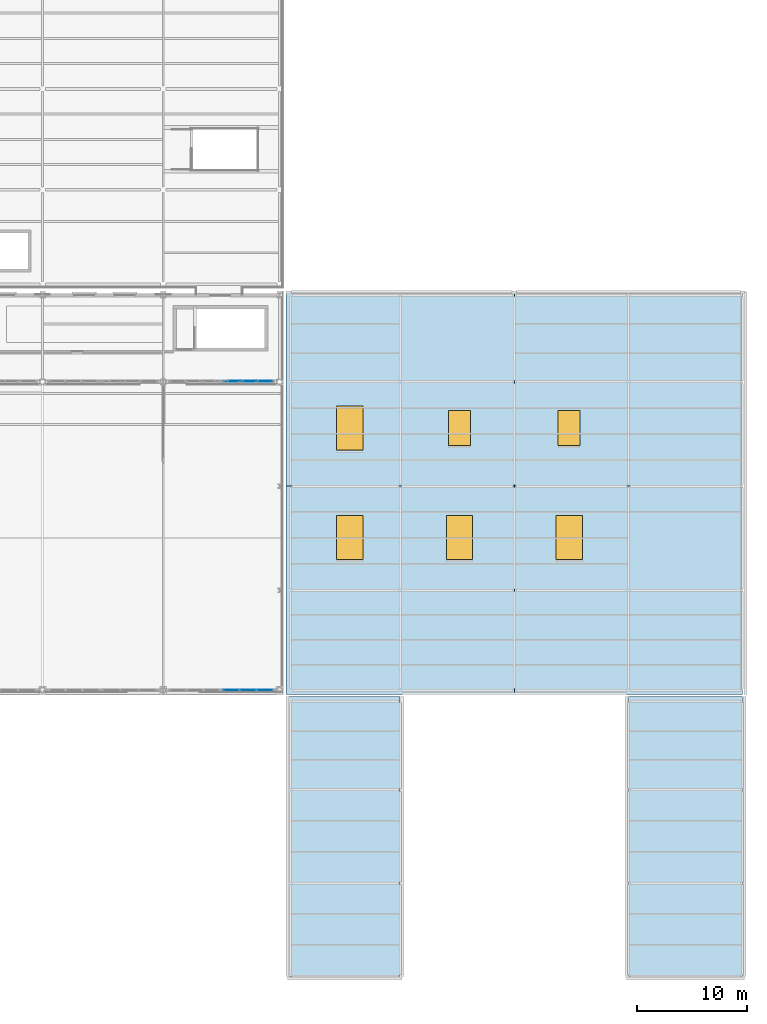
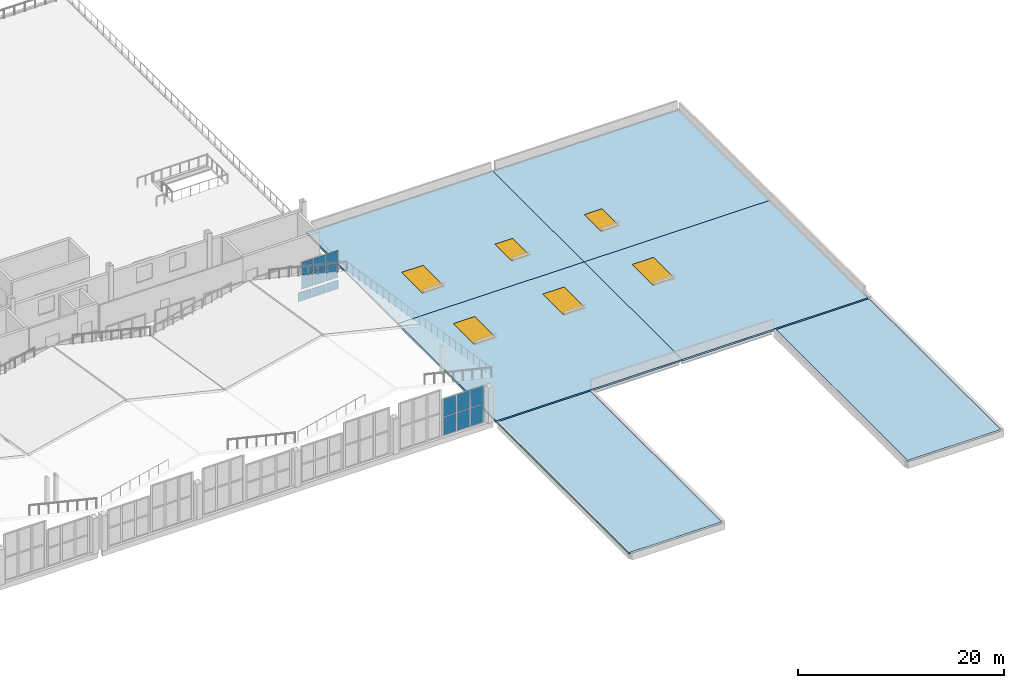
# One storey, part 88 of 120: 15 plates, 6 slabs, 6 windows, 6 openings, 3 elements without a shape of their own.
"""IFC4 building model written with IfcOpenShell, lengths in metres."""

from ifc_helpers import new_model, si_unit, direction, frame, origin, origin_2d, place, context, subcontext, project, spatial, polyline, rectangle, outline, extrude, material, layer, layer_set, type_object, element, fill, aggregate, save


model = new_model("IFC4")

# Units and contexts
model_context = context("Model", 3, precision=1e-05, world=origin(), true_north=direction((0.0, 1.0)))
body_context = subcontext(model_context, "Body", "Model", "MODEL_VIEW")
ifc_project = project(units=[si_unit("LENGTHUNIT", "METRE"), si_unit("AREAUNIT", "SQUARE_METRE"), si_unit("VOLUMEUNIT", "CUBIC_METRE"), si_unit("PLANEANGLEUNIT", "RADIAN"), si_unit("MASSUNIT", "GRAM", prefix="KILO")], contexts=[model_context])

# Site, building, storey
site_placement = place(None, origin())
site = spatial("IfcSite", under=ifc_project, at=site_placement, CompositionType="ELEMENT")
building_placement = place(site_placement, origin())
building = spatial("IfcBuilding", under=site, at=building_placement, Name="Caurita Quay Ferry Terminal", CompositionType="ELEMENT")
storey_placement = place(building_placement, frame((0.0, 0.0, 9.89990234375)))
storey = spatial("IfcBuildingStorey", under=building, at=storey_placement, Name="L02", CompositionType="ELEMENT", Elevation=9.89990234375)

# Curtain wall, plates
ifc_material_1 = material(Name="Laminated solar-control insulated glass", Category="glass")
curtain_wall_type_1 = type_object("IfcCurtainWallType", Name="CW-SYS-14", PredefinedType="NOTDEFINED", material=ifc_material_1)
curtain_wall_1_placement = place(storey_placement, origin())
curtain_wall_1 = element("IfcCurtainWall", 1, at=curtain_wall_1_placement, inside=storey, type_object=curtain_wall_type_1, Name="Mezzanine Hall Overlook Glazing 112", PredefinedType="NOTDEFINED")
ifc_layer_1 = layer(ifc_material_1, 0.02392578125, Name="Laminated low-e hurricane-rated glazing unit 24 mm")
ifc_layer_set_1 = layer_set([ifc_layer_1], Name="Laminated solar-control insulated glass")
plate_type_1 = type_object("IfcPlateType", Name="CW-PNL-24", PredefinedType="CURTAIN_PANEL", material=ifc_layer_set_1)
plate_1_placement = place(storey_placement, frame((127.764892578125, 62.800048828125, 0.05810546875), z_axis=(0.0, 0.0, 1.0), x_axis=(1.0, 0.0, 0.0)))
plate_1 = element("IfcPlate", 2, at=plate_1_placement, type_object=plate_type_1, Name="CW-MZL-112 Glazing Panel 1", PredefinedType="CURTAIN_PANEL", context=body_context, shape_type="SweptSolid", body=[
    extrude(rectangle(XDim=1.31396484375, YDim=0.02392578125, at=origin_2d()), origin(), (0.0, 0.0, 1.0), 1.56396484375),
])
plate_2_placement = place(storey_placement, frame((127.764892578125, 62.800048828125, 1.67822265625), z_axis=(0.0, 0.0, 1.0), x_axis=(1.0, 0.0, 0.0)))
plate_2 = element("IfcPlate", 3, at=plate_2_placement, type_object=plate_type_1, Name="CW-MZL-112 Glazing Panel 2", PredefinedType="CURTAIN_PANEL", context=body_context, shape_type="SweptSolid", body=[
    extrude(rectangle(XDim=1.31396484375, YDim=0.02392578125, at=origin_2d()), origin(), (0.0, 0.0, 1.0), 1.56396484375),
])
plate_3_placement = place(storey_placement, frame((129.14990234375, 62.800048828125, 0.05810546875), z_axis=(0.0, 0.0, 1.0), x_axis=(1.0, 0.0, 0.0)))
plate_3 = element("IfcPlate", 4, at=plate_3_placement, type_object=plate_type_1, Name="CW-MZL-112 Glazing Panel 3", PredefinedType="CURTAIN_PANEL", context=body_context, shape_type="SweptSolid", body=[
    extrude(rectangle(XDim=1.343994140625, YDim=0.02392578125, at=origin_2d()), origin(), (0.0, 0.0, 1.0), 1.56396484375),
])
plate_4_placement = place(storey_placement, frame((129.14990234375, 62.800048828125, 1.67822265625), z_axis=(0.0, 0.0, 1.0), x_axis=(1.0, 0.0, 0.0)))
plate_4 = element("IfcPlate", 5, at=plate_4_placement, type_object=plate_type_1, Name="CW-MZL-112 Glazing Panel 4", PredefinedType="CURTAIN_PANEL", context=body_context, shape_type="SweptSolid", body=[
    extrude(rectangle(XDim=1.343994140625, YDim=0.02392578125, at=origin_2d()), origin(), (0.0, 0.0, 1.0), 1.56396484375),
])
plate_5_placement = place(storey_placement, frame((130.534912109375, 62.800048828125, 0.05810546875), z_axis=(0.0, 0.0, 1.0), x_axis=(1.0, 0.0, 0.0)))
plate_5 = element("IfcPlate", 6, at=plate_5_placement, type_object=plate_type_1, Name="CW-MZL-112 Glazing Panel 5", PredefinedType="CURTAIN_PANEL", context=body_context, shape_type="SweptSolid", body=[
    extrude(rectangle(XDim=1.31396484375, YDim=0.02392578125, at=origin_2d()), origin(), (0.0, 0.0, 1.0), 1.56396484375),
])
plate_6_placement = place(storey_placement, frame((130.534912109375, 62.800048828125, 1.67822265625), z_axis=(0.0, 0.0, 1.0), x_axis=(1.0, 0.0, 0.0)))
plate_6 = element("IfcPlate", 7, at=plate_6_placement, type_object=plate_type_1, Name="CW-MZL-112 Glazing Panel 6", PredefinedType="CURTAIN_PANEL", context=body_context, shape_type="SweptSolid", body=[
    extrude(rectangle(XDim=1.31396484375, YDim=0.02392578125, at=origin_2d()), origin(), (0.0, 0.0, 1.0), 1.56396484375),
])
aggregate(curtain_wall_1, [plate_1, plate_2, plate_3, plate_4, plate_5, plate_6])

curtain_wall_type_2 = type_object("IfcCurtainWallType", Name="CW-SYS-07", PredefinedType="NOTDEFINED", material=ifc_material_1)
curtain_wall_2_placement = place(storey_placement, origin())
curtain_wall_2 = element("IfcCurtainWall", 8, at=curtain_wall_2_placement, inside=storey, type_object=curtain_wall_type_2, Name="Folded Roof Clerestory FB-06-S4", PredefinedType="NOTDEFINED")
ifc_layer_2 = layer(ifc_material_1, 0.028076171875, Name="Laminated low-e hurricane-rated glazing unit 28 mm")
ifc_layer_set_2 = layer_set([ifc_layer_2], Name="Laminated solar-control insulated glass")
plate_type_2 = type_object("IfcPlateType", Name="CW-PNL-28", PredefinedType="CURTAIN_PANEL", material=ifc_layer_set_2)
plate_7_placement = place(storey_placement, frame((127.393798828125, 34.60009765625, 0.0732421875), z_axis=(0.0, 0.0, 1.0), x_axis=(1.0, 0.0, 0.0)))
plate_7 = element("IfcPlate", 9, at=plate_7_placement, type_object=plate_type_2, Name="CW-CLR-044 Glazing Panel 1", PredefinedType="CURTAIN_PANEL", context=body_context, shape_type="SweptSolid", body=[
    extrude(rectangle(XDim=1.44140625, YDim=0.028076171875, at=origin_2d()), origin(), (0.0, 0.0, 1.0), 2.095947265625),
])
plate_8_placement = place(storey_placement, frame((127.393798828125, 34.60009765625, 2.240234375), z_axis=(0.0, 0.0, 1.0), x_axis=(1.0, 0.0, 0.0)))
plate_8 = element("IfcPlate", 10, at=plate_8_placement, type_object=plate_type_2, Name="CW-CLR-044 Glazing Panel 2", PredefinedType="CURTAIN_PANEL", context=body_context, shape_type="SweptSolid", body=[
    extrude(rectangle(XDim=1.44140625, YDim=0.028076171875, at=origin_2d()), origin(), (0.0, 0.0, 1.0), 2.095947265625),
])
plate_9_placement = place(storey_placement, frame((128.925048828125, 34.60009765625, 0.0732421875), z_axis=(0.0, 0.0, 1.0), x_axis=(1.0, 0.0, 0.0)))
plate_9 = element("IfcPlate", 11, at=plate_9_placement, type_object=plate_type_2, Name="CW-CLR-044 Glazing Panel 3", PredefinedType="CURTAIN_PANEL", context=body_context, shape_type="SweptSolid", body=[
    extrude(rectangle(XDim=1.47900390625, YDim=0.028076171875, at=origin_2d()), origin(), (0.0, 0.0, 1.0), 2.095947265625),
])
plate_10_placement = place(storey_placement, frame((128.925048828125, 34.60009765625, 2.240234375), z_axis=(0.0, 0.0, 1.0), x_axis=(1.0, 0.0, 0.0)))
plate_10 = element("IfcPlate", 12, at=plate_10_placement, type_object=plate_type_2, Name="CW-CLR-044 Glazing Panel 4", PredefinedType="CURTAIN_PANEL", context=body_context, shape_type="SweptSolid", body=[
    extrude(rectangle(XDim=1.47900390625, YDim=0.028076171875, at=origin_2d()), origin(), (0.0, 0.0, 1.0), 2.095947265625),
])
plate_11_placement = place(storey_placement, frame((130.456298828125, 34.60009765625, 0.0732421875), z_axis=(0.0, 0.0, 1.0), x_axis=(1.0, 0.0, 0.0)))
plate_11 = element("IfcPlate", 13, at=plate_11_placement, type_object=plate_type_2, Name="CW-CLR-044 Glazing Panel 5", PredefinedType="CURTAIN_PANEL", context=body_context, shape_type="SweptSolid", body=[
    extrude(rectangle(XDim=1.44140625, YDim=0.028076171875, at=origin_2d()), origin(), (0.0, 0.0, 1.0), 2.095947265625),
])
plate_12_placement = place(storey_placement, frame((130.456298828125, 34.60009765625, 2.240234375), z_axis=(0.0, 0.0, 1.0), x_axis=(1.0, 0.0, 0.0)))
plate_12 = element("IfcPlate", 14, at=plate_12_placement, type_object=plate_type_2, Name="CW-CLR-044 Glazing Panel 6", PredefinedType="CURTAIN_PANEL", context=body_context, shape_type="SweptSolid", body=[
    extrude(rectangle(XDim=1.44140625, YDim=0.028076171875, at=origin_2d()), origin(), (0.0, 0.0, 1.0), 2.095947265625),
])
aggregate(curtain_wall_2, [plate_7, plate_8, plate_9, plate_10, plate_11, plate_12])

curtain_wall_type_3 = type_object("IfcCurtainWallType", Name="CW-SYS-05", PredefinedType="NOTDEFINED", material=ifc_material_1)
curtain_wall_3_placement = place(storey_placement, origin())
curtain_wall_3 = element("IfcCurtainWall", 15, at=curtain_wall_3_placement, inside=storey, type_object=curtain_wall_type_3, Name="Folded Roof Clerestory FB-06-N4", PredefinedType="NOTDEFINED")
plate_13_placement = place(storey_placement, frame((127.393798828125, 62.699951171875, -1.2138671875), z_axis=(0.0, 0.0, 1.0), x_axis=(1.0, 0.0, 0.0)))
plate_13 = element("IfcPlate", 16, at=plate_13_placement, type_object=plate_type_2, Name="CW-CLR-048 Glazing Panel 1", PredefinedType="CURTAIN_PANEL", context=body_context, shape_type="SweptSolid", body=[
    extrude(rectangle(XDim=1.44140625, YDim=0.028076171875, at=origin_2d()), origin(), (0.0, 0.0, 1.0), 1.053955078125),
])
plate_14_placement = place(storey_placement, frame((128.925048828125, 62.699951171875, -1.2138671875), z_axis=(0.0, 0.0, 1.0), x_axis=(1.0, 0.0, 0.0)))
plate_14 = element("IfcPlate", 17, at=plate_14_placement, type_object=plate_type_2, Name="CW-CLR-048 Glazing Panel 2", PredefinedType="CURTAIN_PANEL", context=body_context, shape_type="SweptSolid", body=[
    extrude(rectangle(XDim=1.47900390625, YDim=0.028076171875, at=origin_2d()), origin(), (0.0, 0.0, 1.0), 1.053955078125),
])
plate_15_placement = place(storey_placement, frame((130.456298828125, 62.699951171875, -1.2138671875), z_axis=(0.0, 0.0, 1.0), x_axis=(1.0, 0.0, 0.0)))
plate_15 = element("IfcPlate", 18, at=plate_15_placement, type_object=plate_type_2, Name="CW-CLR-048 Glazing Panel 3", PredefinedType="CURTAIN_PANEL", context=body_context, shape_type="SweptSolid", body=[
    extrude(rectangle(XDim=1.44140625, YDim=0.028076171875, at=origin_2d()), origin(), (0.0, 0.0, 1.0), 1.053955078125),
])
aggregate(curtain_wall_3, [plate_13, plate_14, plate_15])

# Slab, openings, windows
ifc_material_2 = material(Name="Reinforced concrete C35/45", Category="concrete")
ifc_layer_3 = layer(ifc_material_2, 0.2099609375, Name="Reinforced concrete roof slab 210 mm")
ifc_layer_set_3 = layer_set([ifc_layer_3], Name="Reinforced concrete C35/45")
slab_type = type_object("IfcSlabType", Name="SLB-RF-210", PredefinedType="ROOF", material=ifc_layer_set_3)
slab_1_placement = place(storey_placement, frame((0.0, 0.0, -0.2099609375)))
slab_1 = element("IfcSlab", 19, at=slab_1_placement, inside=storey, type_object=slab_type, Name="L02 V3-RFH Slab 01", PredefinedType="ROOF", context=body_context, shape_type="SweptSolid", body=[
    extrude(outline(polyline([(132.39990234375, 34.199951171875), (153.199951171875, 34.199951171875), (153.199951171875, 53.199951171875), (132.39990234375, 53.199951171875), (132.39990234375, 34.199951171875)])), origin(), (0.0, 0.0, 1.0), 0.2099609375),
])
opening_1_placement = place(slab_1_placement, frame((138.199951171875, 48.5, -0.010009765625)))
opening_1 = element("IfcOpeningElement", 20, at=opening_1_placement, cuts=slab_1, Name="Opening SK-01", PredefinedType="OPENING", context=body_context, shape_type="SweptSolid", body=[
    extrude(rectangle(XDim=2.39990234375, YDim=4.0, at=origin_2d()), origin(), (0.0, 0.0, 1.0), 0.22998046875),
])
opening_2_placement = place(slab_1_placement, frame((148.199951171875, 48.5, -0.010009765625)))
opening_2 = element("IfcOpeningElement", 21, at=opening_2_placement, cuts=slab_1, Name="Opening SK-01", PredefinedType="OPENING", context=body_context, shape_type="SweptSolid", body=[
    extrude(rectangle(XDim=2.39990234375, YDim=4.0, at=origin_2d()), origin(), (0.0, 0.0, 1.0), 0.22998046875),
])
window_type_1 = type_object("IfcWindowType", Name="SKY-RF-2440", PartitioningType="SINGLE_PANEL", PredefinedType="SKYLIGHT", material=ifc_material_1)
window_1_placement = place(slab_1_placement, frame((138.199951171875, 48.5, 0.14990234375)))
window_1 = element("IfcWindow", 22, at=window_1_placement, inside=storey, type_object=window_type_1, Name="Boarding Concourse Roof Skylight SKY-01", OverallHeight=4.0, OverallWidth=2.39990234375, PartitioningType="SINGLE_PANEL", PredefinedType="SKYLIGHT", context=body_context, shape_type="SweptSolid", body=[
    extrude(rectangle(XDim=2.39990234375, YDim=4.0, at=origin_2d()), origin(), (0.0, 0.0, 1.0), 0.06005859375),
])
fill(opening_1, window_1)
window_2_placement = place(slab_1_placement, frame((148.199951171875, 48.5, 0.14990234375)))
window_2 = element("IfcWindow", 23, at=window_2_placement, inside=storey, type_object=window_type_1, Name="Boarding Concourse Roof Skylight SKY-02", OverallHeight=4.0, OverallWidth=2.39990234375, PartitioningType="SINGLE_PANEL", PredefinedType="SKYLIGHT", context=body_context, shape_type="SweptSolid", body=[
    extrude(rectangle(XDim=2.39990234375, YDim=4.0, at=origin_2d()), origin(), (0.0, 0.0, 1.0), 0.06005859375),
])
fill(opening_2, window_2)

slab_2_placement = place(storey_placement, frame((0.0, 0.0, -0.2099609375)))
slab_2 = element("IfcSlab", 24, at=slab_2_placement, inside=storey, type_object=slab_type, Name="L02 V3-RFH Slab 02", PredefinedType="ROOF", context=body_context, shape_type="SweptSolid", body=[
    extrude(outline(polyline([(132.39990234375, 53.199951171875), (153.199951171875, 53.199951171875), (153.199951171875, 71.0), (132.39990234375, 71.0), (132.39990234375, 53.199951171875)])), origin(), (0.0, 0.0, 1.0), 0.2099609375),
])
opening_3_placement = place(slab_2_placement, frame((138.199951171875, 58.5, -0.010009765625)))
opening_3 = element("IfcOpeningElement", 25, at=opening_3_placement, cuts=slab_2, Name="Opening SK-01", PredefinedType="OPENING", context=body_context, shape_type="SweptSolid", body=[
    extrude(rectangle(XDim=2.39990234375, YDim=4.0, at=origin_2d()), origin(), (0.0, 0.0, 1.0), 0.22998046875),
])
opening_4_placement = place(slab_2_placement, frame((148.199951171875, 58.5, -0.010009765625)))
opening_4 = element("IfcOpeningElement", 26, at=opening_4_placement, cuts=slab_2, Name="Opening SK-02", PredefinedType="OPENING", context=body_context, shape_type="SweptSolid", body=[
    extrude(rectangle(XDim=2.0, YDim=3.199951171875, at=origin_2d()), origin(), (0.0, 0.0, 1.0), 0.22998046875),
])
window_type_2 = type_object("IfcWindowType", Name="SKY-RF-2032", PartitioningType="SINGLE_PANEL", PredefinedType="SKYLIGHT", material=ifc_material_1)
window_3_placement = place(slab_2_placement, frame((148.199951171875, 58.5, 0.14990234375)))
window_3 = element("IfcWindow", 27, at=window_3_placement, inside=storey, type_object=window_type_2, Name="Boarding Concourse Roof Skylight SKY-05", OverallHeight=3.199951171875, OverallWidth=2.0, PartitioningType="SINGLE_PANEL", PredefinedType="SKYLIGHT", context=body_context, shape_type="SweptSolid", body=[
    extrude(rectangle(XDim=2.0, YDim=3.199951171875, at=origin_2d()), origin(), (0.0, 0.0, 1.0), 0.06005859375),
])
fill(opening_4, window_3)
window_4_placement = place(slab_2_placement, frame((138.199951171875, 58.5, 0.14990234375)))
window_4 = element("IfcWindow", 28, at=window_4_placement, inside=storey, type_object=window_type_1, Name="Boarding Concourse Roof Skylight SKY-04", OverallHeight=4.0, OverallWidth=2.39990234375, PartitioningType="SINGLE_PANEL", PredefinedType="SKYLIGHT", context=body_context, shape_type="SweptSolid", body=[
    extrude(rectangle(XDim=2.39990234375, YDim=4.0, at=origin_2d()), origin(), (0.0, 0.0, 1.0), 0.06005859375),
])
fill(opening_3, window_4)

# Slab, opening, window
slab_3_placement = place(storey_placement, frame((0.0, 0.0, -0.2099609375)))
slab_3 = element("IfcSlab", 29, at=slab_3_placement, inside=storey, type_object=slab_type, Name="L02 V3-RFH Slab 03", PredefinedType="ROOF", context=body_context, shape_type="SweptSolid", body=[
    extrude(outline(polyline([(153.199951171875, 34.199951171875), (174.0, 34.199951171875), (174.0, 53.199951171875), (153.199951171875, 53.199951171875), (153.199951171875, 34.199951171875)])), origin(), (0.0, 0.0, 1.0), 0.2099609375),
])
opening_5_placement = place(slab_3_placement, frame((158.199951171875, 48.5, -0.010009765625)))
opening_5 = element("IfcOpeningElement", 30, at=opening_5_placement, cuts=slab_3, Name="Opening SK-01", PredefinedType="OPENING", context=body_context, shape_type="SweptSolid", body=[
    extrude(rectangle(XDim=2.39990234375, YDim=4.0, at=origin_2d()), origin(), (0.0, 0.0, 1.0), 0.22998046875),
])
window_5_placement = place(slab_3_placement, frame((158.199951171875, 48.5, 0.14990234375)))
window_5 = element("IfcWindow", 31, at=window_5_placement, inside=storey, type_object=window_type_1, Name="Boarding Concourse Roof Skylight SKY-03", OverallHeight=4.0, OverallWidth=2.39990234375, PartitioningType="SINGLE_PANEL", PredefinedType="SKYLIGHT", context=body_context, shape_type="SweptSolid", body=[
    extrude(rectangle(XDim=2.39990234375, YDim=4.0, at=origin_2d()), origin(), (0.0, 0.0, 1.0), 0.06005859375),
])
fill(opening_5, window_5)

slab_4_placement = place(storey_placement, frame((0.0, 0.0, -0.2099609375)))
slab_4 = element("IfcSlab", 32, at=slab_4_placement, inside=storey, type_object=slab_type, Name="L02 V3-RFH Slab 04", PredefinedType="ROOF", context=body_context, shape_type="SweptSolid", body=[
    extrude(outline(polyline([(153.199951171875, 53.199951171875), (174.0, 53.199951171875), (174.0, 71.0), (153.199951171875, 71.0), (153.199951171875, 53.199951171875)])), origin(), (0.0, 0.0, 1.0), 0.2099609375),
])
opening_6_placement = place(slab_4_placement, frame((158.199951171875, 58.5, -0.010009765625)))
opening_6 = element("IfcOpeningElement", 33, at=opening_6_placement, cuts=slab_4, Name="Opening SK-02", PredefinedType="OPENING", context=body_context, shape_type="SweptSolid", body=[
    extrude(rectangle(XDim=2.0, YDim=3.199951171875, at=origin_2d()), origin(), (0.0, 0.0, 1.0), 0.22998046875),
])
window_6_placement = place(slab_4_placement, frame((158.199951171875, 58.5, 0.14990234375)))
window_6 = element("IfcWindow", 34, at=window_6_placement, inside=storey, type_object=window_type_2, Name="Boarding Concourse Roof Skylight SKY-06", OverallHeight=3.199951171875, OverallWidth=2.0, PartitioningType="SINGLE_PANEL", PredefinedType="SKYLIGHT", context=body_context, shape_type="SweptSolid", body=[
    extrude(rectangle(XDim=2.0, YDim=3.199951171875, at=origin_2d()), origin(), (0.0, 0.0, 1.0), 0.06005859375),
])
fill(opening_6, window_6)

# Slabs
slab_5_placement = place(storey_placement, frame((0.0, 0.0, -0.2099609375)))
element("IfcSlab", 35, at=slab_5_placement, inside=storey, type_object=slab_type, Name="L02 V3-RFG1 Slab 01", PredefinedType="ROOF", context=body_context, shape_type="SweptSolid", body=[
    extrude(outline(polyline([(132.39990234375, 8.5), (142.800048828125, 8.5), (142.800048828125, 34.0), (132.39990234375, 34.0), (132.39990234375, 8.5)])), origin(), (0.0, 0.0, 1.0), 0.2099609375),
])
slab_6_placement = place(storey_placement, frame((0.0, 0.0, -0.2099609375)))
element("IfcSlab", 36, at=slab_6_placement, inside=storey, type_object=slab_type, Name="L02 V3-RFG2 Slab 01", PredefinedType="ROOF", context=body_context, shape_type="SweptSolid", body=[
    extrude(outline(polyline([(163.60009765625, 8.5), (174.0, 8.5), (174.0, 34.0), (163.60009765625, 34.0), (163.60009765625, 8.5)])), origin(), (0.0, 0.0, 1.0), 0.2099609375),
])

save(model, "model.ifc")
